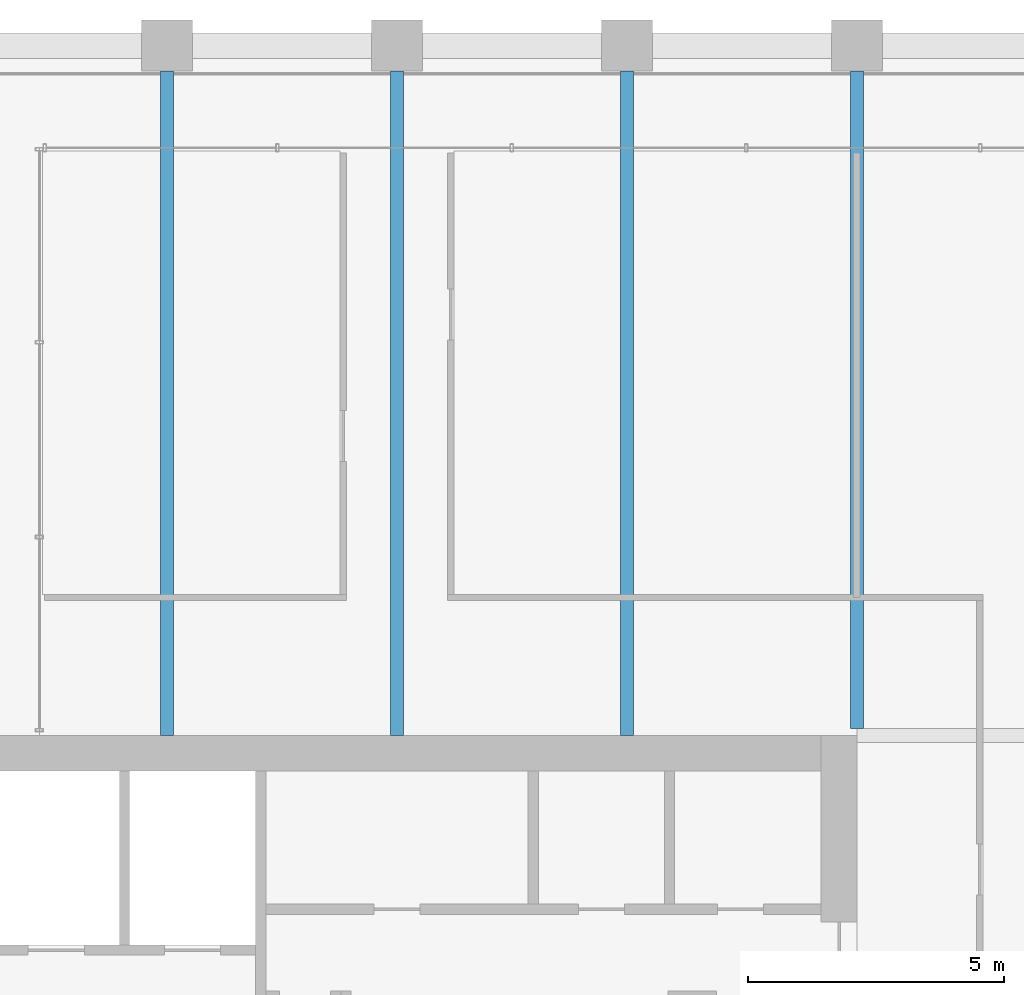
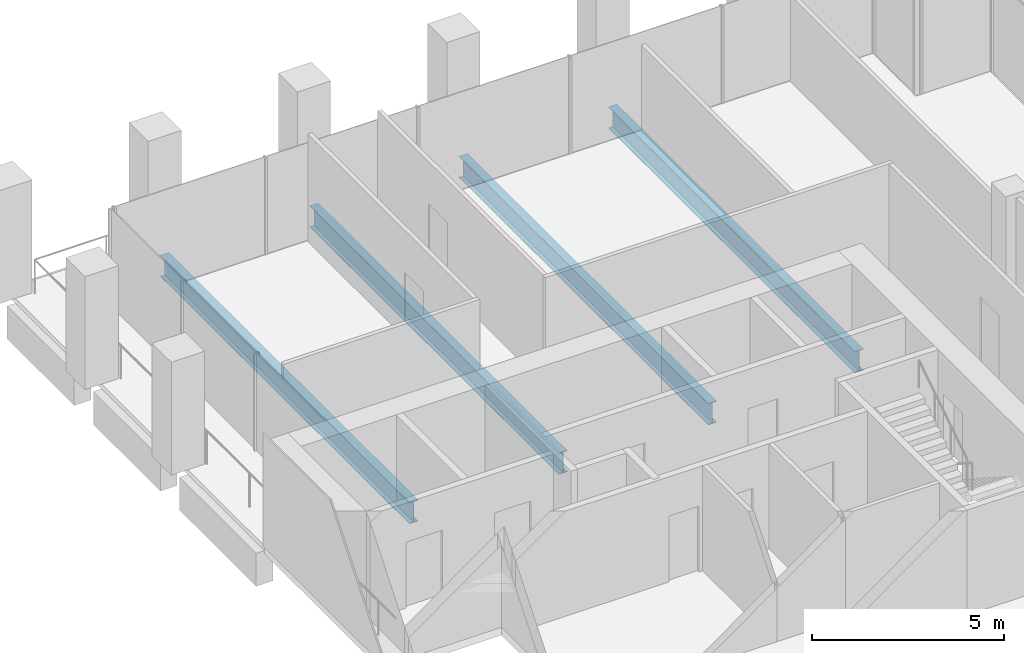
# One storey, part 22 of 46: 4 beams.
"""IFC4 building model written with IfcOpenShell, lengths in metres."""

from ifc_helpers import new_model, si_unit, direction, frame, origin, origin_2d, place, context, subcontext, project, spatial, i_section, extrude, material, material_profile, profile_set, type_object, element, save


model = new_model("IFC4")

# Units and contexts
model_context = context("Model", 3, precision=1e-05, world=origin(), true_north=direction((0.0, 1.0)))
body_context = subcontext(model_context, "Body", "Model", "MODEL_VIEW")
ifc_project = project(units=[si_unit("LENGTHUNIT", "METRE"), si_unit("AREAUNIT", "SQUARE_METRE"), si_unit("VOLUMEUNIT", "CUBIC_METRE"), si_unit("PLANEANGLEUNIT", "RADIAN"), si_unit("MASSUNIT", "GRAM", prefix="KILO")], contexts=[model_context])

# Site, building, storey
site_placement = place(None, origin())
site = spatial("IfcSite", under=ifc_project, at=site_placement, CompositionType="ELEMENT")
building_placement = place(site_placement, origin())
building = spatial("IfcBuilding", under=site, at=building_placement, Name="Altepetl Exchange Towers", CompositionType="ELEMENT")
storey_placement = place(building_placement, frame((0.0, 0.0, 106.39990234375)))
storey = spatial("IfcBuildingStorey", under=building, at=storey_placement, Name="L26", CompositionType="ELEMENT", Elevation=106.39990234375)

# Beams
ifc_material = material(Name="Steel S355", Category="steel")
ifc_material_profile = material_profile(ifc_material, i_section(OverallWidth=0.25390625, OverallDepth=0.68408203125, WebThickness=0.012451171875, FlangeThickness=0.018798828125, at=origin_2d()), Name="W27X94")
ifc_profile_set = profile_set([ifc_material_profile], Name="Steel S355")
beam_type = type_object("IfcBeamType", Name="Floor beam W27X94", PredefinedType="BEAM", material=ifc_profile_set)
for number, where, z_axis, x_axis, name in (
    (1, (45.0, 58.5, -0.491943359375), (0.0, 1.0, 0.0), (-1.0, 0.0, 0.0), "bm:A:L26:000"),
    (2, (49.5, 58.5, -0.491943359375), (0.0, 1.0, 0.0), (-1.0, 0.0, 0.0), "bm:A:L26:001"),
    (3, (54.0, 58.5, -0.491943359375), (0.0, 1.0, 0.0), (-1.0, 0.0, 0.0), "bm:A:L26:002"),
):
    element("IfcBeam", number, at=place(storey_placement, frame(where, z_axis=z_axis, x_axis=x_axis)), inside=storey, type_object=beam_type, Name=name, PredefinedType="BEAM", context=body_context, shape_type="SweptSolid", body=[
        extrude(i_section(OverallWidth=0.25390625, OverallDepth=0.68408203125, WebThickness=0.012451171875, FlangeThickness=0.018798828125, at=origin_2d()), origin(), (0.0, 0.0, 1.0), 13.0),
    ])
beam_placement = place(storey_placement, frame((58.5, 58.634033203125, -0.491943359375), z_axis=(0.0, 1.0, 0.0), x_axis=(-1.0, 0.0, 0.0)))
element("IfcBeam", 4, at=beam_placement, inside=storey, type_object=beam_type, Name="bm:A:L26:003", PredefinedType="BEAM", context=body_context, shape_type="SweptSolid", body=[
    extrude(i_section(OverallWidth=0.25390625, OverallDepth=0.68408203125, WebThickness=0.012451171875, FlangeThickness=0.018798828125, at=origin_2d()), origin(), (0.0, 0.0, 1.0), 12.865966796875),
])

save(model, "model.ifc")
